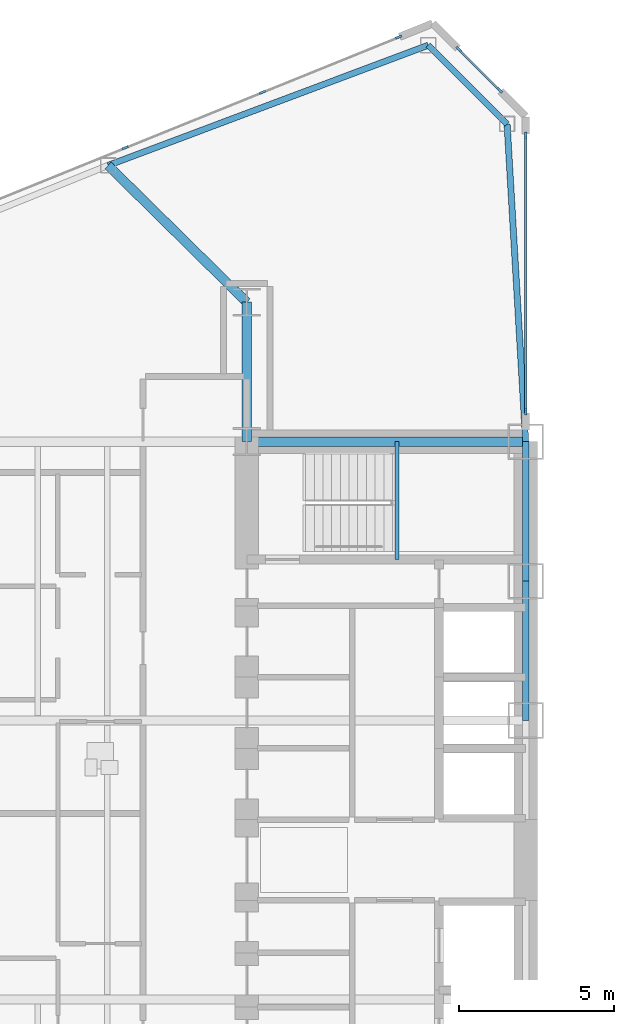
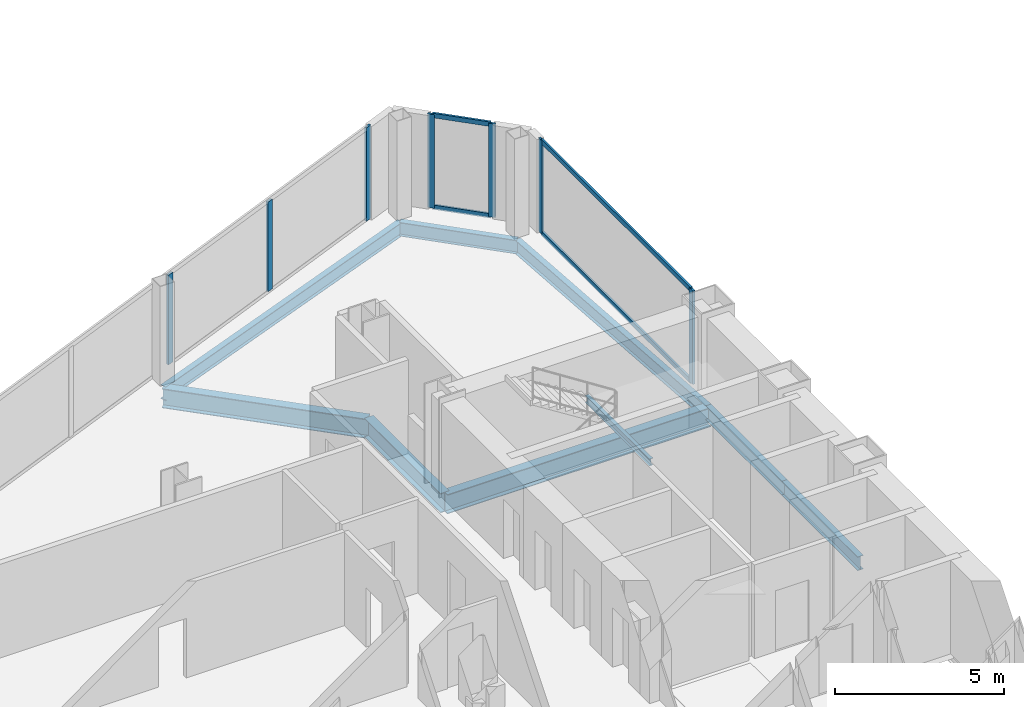
# One storey, part 8 of 25: 11 members, 9 beams, 3 elements without a shape of their own.
"""IFC4 building model written with IfcOpenShell, lengths in metres."""

from ifc_helpers import new_model, si_unit, direction, frame, origin, origin_2d, place, context, subcontext, project, spatial, rectangle, i_section, extrude, source, transform, mapped, material, layer, layer_set, material_profile, profile_set, type_object, type_shapes, element, aggregate, save


model = new_model("IFC4")

# Units and contexts
model_context = context("Model", 3, precision=1e-05, world=origin(), true_north=direction((0.0, 1.0)))
body_context = subcontext(model_context, "Body", "Model", "MODEL_VIEW")
ifc_project = project(units=[si_unit("LENGTHUNIT", "METRE"), si_unit("AREAUNIT", "SQUARE_METRE"), si_unit("VOLUMEUNIT", "CUBIC_METRE"), si_unit("PLANEANGLEUNIT", "RADIAN"), si_unit("MASSUNIT", "GRAM", prefix="KILO")], contexts=[model_context])

# Site, building, storey
site_placement = place(None, origin())
site = spatial("IfcSite", under=ifc_project, at=site_placement, CompositionType="ELEMENT")
building_placement = place(site_placement, origin())
building = spatial("IfcBuilding", under=site, at=building_placement, Name="Seokmaru Belvedere", CompositionType="ELEMENT")
storey_placement = place(building_placement, frame((0.0, 0.0, 58.5)))
storey = spatial("IfcBuildingStorey", under=building, at=storey_placement, Name="L15", CompositionType="ELEMENT", Elevation=58.5)

# Beams
ifc_material_1 = material(Name="Steel SM355 (355 MPa)", Category="steel")
ifc_material_profile_1 = material_profile(ifc_material_1, i_section(OverallWidth=0.199951171875, OverallDepth=0.5, WebThickness=0.010009765625, FlangeThickness=0.01611328125, at=origin_2d()), Name="H-500x200x10x16")
ifc_profile_set_1 = profile_set([ifc_material_profile_1], Name="Steel SM355 (355 MPa)")
beam_type_1 = type_object("IfcBeamType", Name="Perimeter Spandrel Beam H-500", PredefinedType="SPANDREL", material=ifc_profile_set_1)
shared_shape_1 = source(origin(), body_context, "Body", "SweptSolid", [
    extrude(i_section(OverallWidth=0.199951171875, OverallDepth=0.5, WebThickness=0.010009765625, FlangeThickness=0.01611328125, at=origin_2d()), origin(), (0.0, 0.0, 1.0), 4.5),
])
for number, where, z_axis, x_axis, name in (
    (1, (-27.5, 4.5, -0.469970703125), (0.0, 1.0, 0.0), (-1.0, 0.0, 0.0), "L15 W Portal Spine Spandrel 4"),
    (2, (-27.5, 9.0, -0.469970703125), (0.0, 1.0, 0.0), (-1.0, 0.0, 0.0), "L15 W Portal Spine Spandrel 5"),
):
    element("IfcBeam", number, at=place(storey_placement, frame(where, z_axis=z_axis, x_axis=x_axis)), inside=storey, type_object=beam_type_1, Name=name, PredefinedType="SPANDREL", context=body_context, shape_type="MappedRepresentation", body=[
        mapped(shared_shape_1, transform((0.0, 0.0, 0.0), scale=1.0)),
    ])
ifc_material_profile_2 = material_profile(ifc_material_1, i_section(OverallWidth=0.300048828125, OverallDepth=0.699951171875, WebThickness=0.012939453125, FlangeThickness=0.02392578125, at=origin_2d()), Name="H-700x300x13x24")
ifc_profile_set_2 = profile_set([ifc_material_profile_2], Name="Steel SM355 (355 MPa)")
beam_type_2 = type_object("IfcBeamType", Name="Primary Floor Girder H-700", PredefinedType="BEAM", material=ifc_profile_set_2)
shared_shape_2 = source(origin(), body_context, "Body", "SweptSolid", [
    extrude(i_section(OverallWidth=0.300048828125, OverallDepth=0.699951171875, WebThickness=0.012939453125, FlangeThickness=0.02392578125, at=origin_2d()), origin(), (0.0, 0.0, 1.0), 4.5),
])
beam_1_placement = place(storey_placement, frame((-36.5, 13.5, -0.570068359375), z_axis=(0.0, 1.0, 0.0), x_axis=(-1.0, 0.0, 0.0)))
element("IfcBeam", 3, at=beam_1_placement, inside=storey, type_object=beam_type_2, Name="L15 W Core Shoulder Girder N", PredefinedType="BEAM", context=body_context, shape_type="MappedRepresentation", body=[
    mapped(shared_shape_2, transform((0.0, 0.0, 0.0), scale=1.0)),
])
shared_shape_3 = source(origin(), body_context, "Body", "SweptSolid", [
    extrude(i_section(OverallWidth=0.300048828125, OverallDepth=0.699951171875, WebThickness=0.012939453125, FlangeThickness=0.02392578125, at=origin_2d()), origin(), (0.0, 0.0, 1.0), 9.0),
])
beam_2_placement = place(storey_placement, frame((-36.5, 13.5, -0.570068359375), z_axis=(1.0, 0.0, 0.0), x_axis=(0.0, 1.0, 0.0)))
element("IfcBeam", 4, at=beam_2_placement, inside=storey, type_object=beam_type_2, Name="L15 W Core Tie Girder 4", PredefinedType="BEAM", context=body_context, shape_type="MappedRepresentation", body=[
    mapped(shared_shape_3, transform((0.0, 0.0, 0.0), scale=1.0)),
])
shared_shape_4 = source(origin(), body_context, "Body", "SweptSolid", [
    extrude(i_section(OverallWidth=0.199951171875, OverallDepth=0.5, WebThickness=0.010009765625, FlangeThickness=0.01611328125, at=origin_2d()), origin(), (0.0, 0.0, 1.0), 11.03857421875),
])
beam_3_placement = place(storey_placement, frame((-30.643310546875, 26.294677734375, -0.469970703125), z_axis=(-0.936169110734, -0.351549990907, 0.0), x_axis=(0.351549990907, -0.936169110734, 0.0)))
element("IfcBeam", 5, at=beam_3_placement, inside=storey, type_object=beam_type_1, Name="L15 W Faceted Flank Spandrel N-1", PredefinedType="SPANDREL", context=body_context, shape_type="MappedRepresentation", body=[
    mapped(shared_shape_4, transform((0.0, 0.0, 0.0), scale=1.0)),
])
shared_shape_5 = source(origin(), body_context, "Body", "SweptSolid", [
    extrude(i_section(OverallWidth=0.199951171875, OverallDepth=0.5, WebThickness=0.010009765625, FlangeThickness=0.01611328125, at=origin_2d()), origin(), (0.0, 0.0, 1.0), 3.5966796875),
])
beam_4_placement = place(storey_placement, frame((-30.643310546875, 26.294677734375, -0.469970703125), z_axis=(0.707106781187, -0.707106781187, 0.0), x_axis=(0.707106781187, 0.707106781187, 0.0)))
element("IfcBeam", 6, at=beam_4_placement, inside=storey, type_object=beam_type_1, Name="L15 W Shoulder Chamfer Spandrel N", PredefinedType="SPANDREL", context=body_context, shape_type="MappedRepresentation", body=[
    mapped(shared_shape_5, transform((0.0, 0.0, 0.0), scale=1.0)),
])
shared_shape_6 = source(origin(), body_context, "Body", "SweptSolid", [
    extrude(i_section(OverallWidth=0.199951171875, OverallDepth=0.5, WebThickness=0.010009765625, FlangeThickness=0.01611328125, at=origin_2d()), origin(), (0.0, 0.0, 1.0), 10.26904296875),
])
type_shapes(beam_type_1, [shared_shape_1, shared_shape_4, shared_shape_5, shared_shape_6])
beam_5_placement = place(storey_placement, frame((-28.10009765625, 23.75146484375, -0.469970703125), z_axis=(0.058437709399, -0.998291056817, 0.0), x_axis=(0.998291056817, 0.058437709399, 0.0)))
element("IfcBeam", 7, at=beam_5_placement, inside=storey, type_object=beam_type_1, Name="L15 W Shoulder Spine Spandrel N", PredefinedType="SPANDREL", context=body_context, shape_type="MappedRepresentation", body=[
    mapped(shared_shape_6, transform((0.0, 0.0, 0.0), scale=1.0)),
])
shared_shape_7 = source(origin(), body_context, "Body", "SweptSolid", [
    extrude(i_section(OverallWidth=0.300048828125, OverallDepth=0.699951171875, WebThickness=0.012939453125, FlangeThickness=0.02392578125, at=origin_2d()), origin(), (0.0, 0.0, 1.0), 6.287353515625),
])
type_shapes(beam_type_2, [shared_shape_2, shared_shape_3, shared_shape_7])
beam_6_placement = place(storey_placement, frame((-40.977294921875, 22.4140625, -0.570068359375), z_axis=(0.712117485263, -0.702060315915, 0.0), x_axis=(0.702060315915, 0.712117485263, 0.0)))
element("IfcBeam", 8, at=beam_6_placement, inside=storey, type_object=beam_type_2, Name="L15 W Flank Radial Floor Girder N-1", PredefinedType="BEAM", context=body_context, shape_type="MappedRepresentation", body=[
    mapped(shared_shape_7, transform((0.0, 0.0, 0.0), scale=1.0)),
])

# Curtain wall, members
ifc_material_2 = material(Name="Bronze Triple Insulating Glass", Category="glass")
ifc_layer = layer(ifc_material_2, 0.2099609375)
ifc_layer_set = layer_set([ifc_layer], Name="Bronze Triple Insulating Glass")
curtain_wall_type = type_object("IfcCurtainWallType", Name="Low-Rise Faceted Crystal Curtain Wall System CW-2", PredefinedType="NOTDEFINED", material=ifc_layer_set)
curtain_wall_1_placement = place(storey_placement, origin())
curtain_wall_1 = element("IfcCurtainWall", 9, at=curtain_wall_1_placement, inside=storey, type_object=curtain_wall_type, Name="L15 Curtain Wall WSP_2", PredefinedType="NOTDEFINED")
ifc_material_3 = material(Name="Anodised Bronze Aluminium", Category="aluminium")
ifc_material_profile_3 = material_profile(ifc_material_3, rectangle(XDim=0.070068359375, YDim=0.1650390625, at=origin_2d()), Name="CW-T-70x165")
ifc_profile_set_3 = profile_set([ifc_material_profile_3], Name="Anodised Bronze Aluminium")
member_type_1 = type_object("IfcMemberType", Name="Bronze Unitised Transom 70x165", PredefinedType="USERDEFINED", material=ifc_profile_set_3)
shared_shape_8 = source(origin(), body_context, "Body", "SweptSolid", [
    extrude(rectangle(XDim=0.070068359375, YDim=0.1650390625, at=origin_2d()), origin(), (0.0, 0.0, 1.0), 8.85009765625),
])
member_1_placement = place(storey_placement, frame((-27.5, 14.5048828125, 0.034912109375), z_axis=(0.0, 1.0, 0.0), x_axis=(-1.0, 0.0, 0.0)))
member_1 = element("IfcMember", 10, at=member_1_placement, type_object=member_type_1, Name="CW:L15:WSP_2 Continuous Transom 1", ObjectType="TRANSOM", PredefinedType="USERDEFINED", context=body_context, shape_type="MappedRepresentation", body=[
    mapped(shared_shape_8, transform((0.0, 0.0, 0.0), scale=1.0)),
])
member_2_placement = place(storey_placement, frame((-27.5, 14.5048828125, 3.344970703125), z_axis=(0.0, 1.0, 0.0), x_axis=(-1.0, 0.0, 0.0)))
member_2 = element("IfcMember", 11, at=member_2_placement, type_object=member_type_1, Name="CW:L15:WSP_2 Continuous Transom 2", ObjectType="TRANSOM", PredefinedType="USERDEFINED", context=body_context, shape_type="MappedRepresentation", body=[
    mapped(shared_shape_8, transform((0.0, 0.0, 0.0), scale=1.0)),
])

curtain_wall_2_placement = place(storey_placement, origin())
curtain_wall_2 = element("IfcCurtainWall", 12, at=curtain_wall_2_placement, inside=storey, type_object=curtain_wall_type, Name="L15 Curtain Wall WF2", PredefinedType="NOTDEFINED")
shared_shape_9 = source(origin(), body_context, "Body", "SweptSolid", [
    extrude(rectangle(XDim=0.070068359375, YDim=0.1650390625, at=origin_2d()), origin(), (0.0, 0.0, 1.0), 1.792724609375),
])
type_shapes(member_type_1, [shared_shape_8, shared_shape_9])
member_3_placement = place(storey_placement, frame((-28.3662109375, 24.8662109375, 0.034912109375), z_axis=(-0.707106781187, 0.707106781187, 0.0), x_axis=(-0.707106781187, -0.707106781187, 0.0)))
member_3 = element("IfcMember", 13, at=member_3_placement, type_object=member_type_1, Name="CW:L15:WF2 Continuous Transom 1", ObjectType="TRANSOM", PredefinedType="USERDEFINED", context=body_context, shape_type="MappedRepresentation", body=[
    mapped(shared_shape_9, transform((0.0, 0.0, 0.0), scale=1.0)),
])
member_4_placement = place(storey_placement, frame((-28.3662109375, 24.8662109375, 3.344970703125), z_axis=(-0.707106781187, 0.707106781187, 0.0), x_axis=(-0.707106781187, -0.707106781187, 0.0)))
member_4 = element("IfcMember", 14, at=member_4_placement, type_object=member_type_1, Name="CW:L15:WF2 Continuous Transom 2", ObjectType="TRANSOM", PredefinedType="USERDEFINED", context=body_context, shape_type="MappedRepresentation", body=[
    mapped(shared_shape_9, transform((0.0, 0.0, 0.0), scale=1.0)),
])

curtain_wall_3_placement = place(storey_placement, origin())
curtain_wall_3 = element("IfcCurtainWall", 15, at=curtain_wall_3_placement, inside=storey, type_object=curtain_wall_type, Name="L15 Curtain Wall WF3", PredefinedType="NOTDEFINED")
ifc_material_profile_4 = material_profile(ifc_material_3, rectangle(XDim=0.074951171875, YDim=0.2099609375, at=origin_2d()), Name="CW-M-75x210")
ifc_profile_set_4 = profile_set([ifc_material_profile_4], Name="Anodised Bronze Aluminium")
member_type_2 = type_object("IfcMemberType", Name="Bronze Unitised Mullion 75x210", PredefinedType="MULLION", material=ifc_profile_set_4)
shared_shape_10 = source(origin(), body_context, "Body", "SweptSolid", [
    extrude(rectangle(XDim=0.074951171875, YDim=0.2099609375, at=origin_2d()), origin(), (0.0, 0.0, 1.0), 3.239990234375),
])
member_5_placement = place(storey_placement, frame((-35.995849609375, 24.775390625, 0.070068359375), z_axis=(0.0, 0.0, 1.0), x_axis=(0.375192321888, -0.926946989637, 0.0)))
member_5 = element("IfcMember", 16, at=member_5_placement, type_object=member_type_2, Name="CW:L15:WF3 Mullion 2", PredefinedType="MULLION", context=body_context, shape_type="MappedRepresentation", body=[
    mapped(shared_shape_10, transform((0.0, 0.0, 0.0), scale=1.0)),
])
member_6_placement = place(storey_placement, frame((-40.425537109375, 22.982421875, 0.070068359375), z_axis=(0.0, 0.0, 1.0), x_axis=(0.375192321888, -0.926946989637, 0.0)))
member_6 = element("IfcMember", 17, at=member_6_placement, type_object=member_type_2, Name="CW:L15:WF3 Mullion 3", PredefinedType="MULLION", context=body_context, shape_type="MappedRepresentation", body=[
    mapped(shared_shape_10, transform((0.0, 0.0, 0.0), scale=1.0)),
])

# Member
shared_shape_11 = source(origin(), body_context, "Body", "SweptSolid", [
    extrude(rectangle(XDim=0.074951171875, YDim=0.2099609375, at=origin_2d()), origin(), (0.0, 0.0, 1.0), 3.3798828125),
])
type_shapes(member_type_2, [shared_shape_10, shared_shape_11])
member_7_placement = place(storey_placement, frame((-27.5, 14.467529296875, 0.0), z_axis=(0.0, 0.0, 1.0), x_axis=(-1.0, 0.0, 0.0)))
member_7 = element("IfcMember", 18, at=member_7_placement, type_object=member_type_2, Name="CW:L15:WSP_2 Mullion 1", PredefinedType="MULLION", context=body_context, shape_type="MappedRepresentation", body=[
    mapped(shared_shape_11, transform((0.0, 0.0, 0.0), scale=1.0)),
])

member_8_placement = place(storey_placement, frame((-27.5, 23.392578125, 0.0), z_axis=(0.0, 0.0, 1.0), x_axis=(-1.0, 0.0, 0.0)))
member_8 = element("IfcMember", 19, at=member_8_placement, type_object=member_type_2, Name="CW:L15:WSP_2 Mullion 2", PredefinedType="MULLION", context=body_context, shape_type="MappedRepresentation", body=[
    mapped(shared_shape_11, transform((0.0, 0.0, 0.0), scale=1.0)),
])

aggregate(curtain_wall_1, [member_7, member_8, member_1, member_2])

member_9_placement = place(storey_placement, frame((-28.339599609375, 24.839599609375, 0.0), z_axis=(0.0, 0.0, 1.0), x_axis=(-0.707106781187, -0.707106781187, 0.0)))
member_9 = element("IfcMember", 20, at=member_9_placement, type_object=member_type_2, Name="CW:L15:WF2 Mullion 1", PredefinedType="MULLION", context=body_context, shape_type="MappedRepresentation", body=[
    mapped(shared_shape_11, transform((0.0, 0.0, 0.0), scale=1.0)),
])

member_10_placement = place(storey_placement, frame((-29.660400390625, 26.160400390625, 0.0), z_axis=(0.0, 0.0, 1.0), x_axis=(-0.707106781187, -0.707106781187, 0.0)))
member_10 = element("IfcMember", 21, at=member_10_placement, type_object=member_type_2, Name="CW:L15:WF2 Mullion 2", PredefinedType="MULLION", context=body_context, shape_type="MappedRepresentation", body=[
    mapped(shared_shape_11, transform((0.0, 0.0, 0.0), scale=1.0)),
])

aggregate(curtain_wall_2, [member_9, member_10, member_3, member_4])

member_11_placement = place(storey_placement, frame((-31.600830078125, 26.554443359375, 0.0), z_axis=(0.0, 0.0, 1.0), x_axis=(0.375192321888, -0.926946989637, 0.0)))
member_11 = element("IfcMember", 22, at=member_11_placement, type_object=member_type_2, Name="CW:L15:WF3 Mullion 1", PredefinedType="MULLION", context=body_context, shape_type="MappedRepresentation", body=[
    mapped(shared_shape_11, transform((0.0, 0.0, 0.0), scale=1.0)),
])

aggregate(curtain_wall_3, [member_11, member_5, member_6])

# Beam
ifc_material_profile_5 = material_profile(ifc_material_1, i_section(OverallWidth=0.125, OverallDepth=0.25, WebThickness=0.006103515625, FlangeThickness=0.009033203125, at=origin_2d()), Name="H-250x125x6x9")
ifc_profile_set_5 = profile_set([ifc_material_profile_5], Name="Steel SM355 (355 MPa)")
beam_type_3 = type_object("IfcBeamType", Name="Stair Mid-Landing Support Beam H-250", PredefinedType="JOIST", material=ifc_profile_set_5)
shared_shape_12 = source(origin(), body_context, "Body", "SweptSolid", [
    extrude(i_section(OverallWidth=0.125, OverallDepth=0.25, WebThickness=0.006103515625, FlangeThickness=0.009033203125, at=origin_2d()), origin(), (0.0, 0.0, 1.0), 3.800048828125),
])
type_shapes(beam_type_3, [shared_shape_12])
beam_7_placement = place(storey_placement, frame((-31.64990234375, 9.699951171875, 1.47509765625), z_axis=(0.0, 1.0, 0.0), x_axis=(-1.0, 0.0, 0.0)))
element("IfcBeam", 23, at=beam_7_placement, inside=storey, type_object=beam_type_3, Name="L15 Stair ST-W2 Mid-Landing Support Beam 1", PredefinedType="JOIST", context=body_context, shape_type="MappedRepresentation", body=[
    mapped(shared_shape_12, transform((0.0, 0.0, 0.0), scale=1.0)),
])

save(model, "model.ifc")
